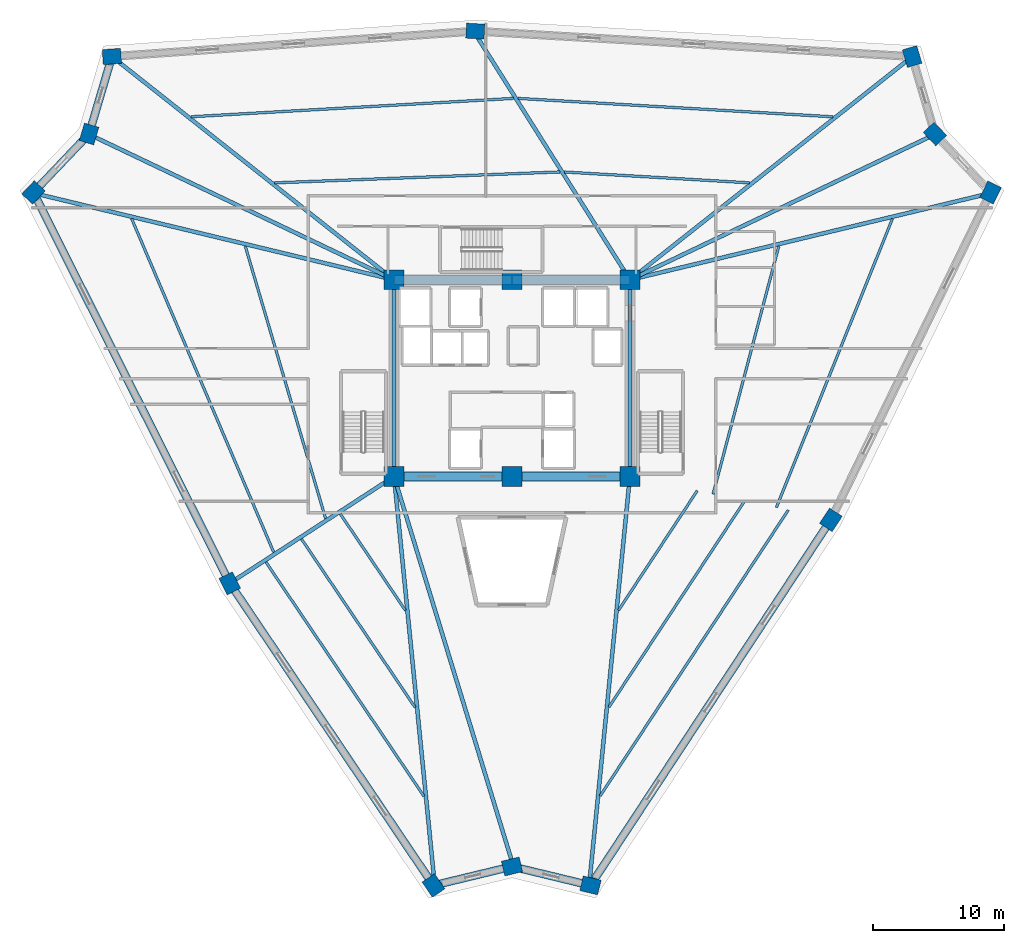
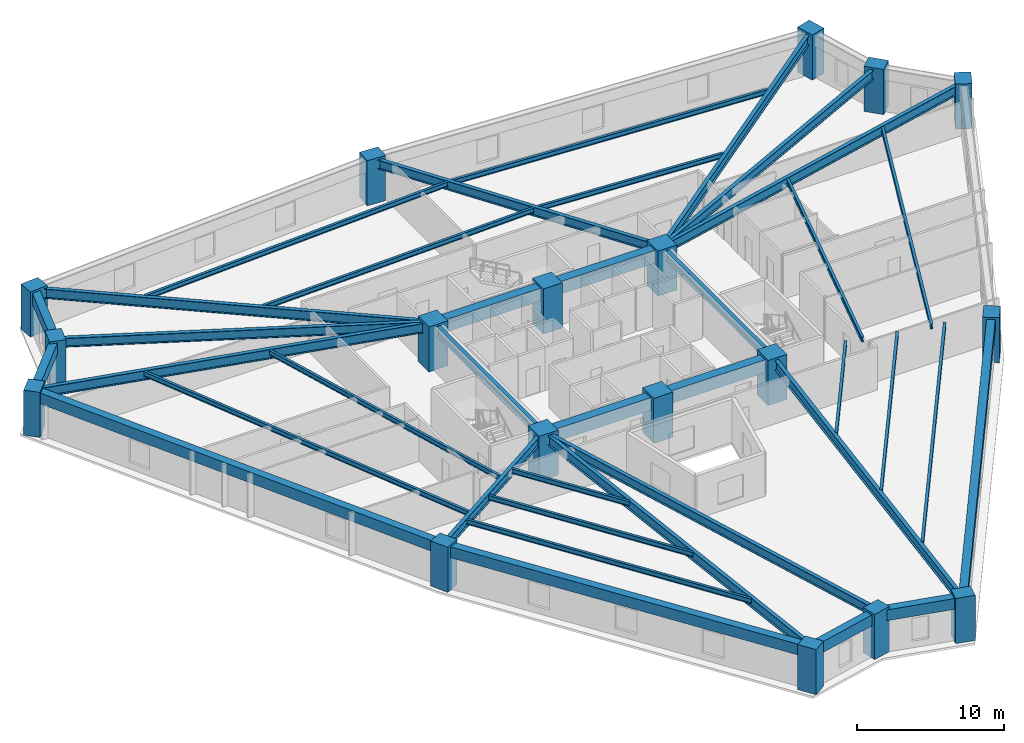
# One storey, part 1 of 7: 38 beams, 18 columns.
"""IFC4 building model written with IfcOpenShell, lengths in metres."""

from ifc_helpers import new_model, si_unit, direction, frame, origin, origin_2d, place, context, subcontext, project, spatial, rectangle, i_section, extrude, source, transform, mapped, material, material_profile, profile_set, type_object, element, save


model = new_model("IFC4")

# Units and contexts
model_context = context("Model", 3, precision=1e-05, world=origin(), true_north=direction((0.0, 1.0)))
body_context = subcontext(model_context, "Body", "Model", "MODEL_VIEW")
ifc_project = project(units=[si_unit("LENGTHUNIT", "METRE"), si_unit("AREAUNIT", "SQUARE_METRE"), si_unit("VOLUMEUNIT", "CUBIC_METRE"), si_unit("PLANEANGLEUNIT", "RADIAN"), si_unit("MASSUNIT", "GRAM", prefix="KILO")], contexts=[model_context])

# Site, building, storey
site_placement = place(None, origin())
site = spatial("IfcSite", under=ifc_project, at=site_placement, CompositionType="ELEMENT")
building_placement = place(site_placement, origin())
building = spatial("IfcBuilding", under=site, at=building_placement, Name="Liaohun Quay Tower", CompositionType="ELEMENT")
storey_placement = place(building_placement, frame((0.0, 0.0, 120.75)))
storey = spatial("IfcBuildingStorey", under=building, at=storey_placement, Name="L31", CompositionType="ELEMENT", Elevation=120.75)

# Columns
ifc_material_1 = material(Name="Concrete C60", Category="concrete")
ifc_material_profile_1 = material_profile(ifc_material_1, rectangle(XDim=1.5, YDim=1.5, at=origin_2d()), Name="RC1500x1500")
ifc_profile_set_1 = profile_set([ifc_material_profile_1], Name="Concrete C60")
column_type_1 = type_object("IfcColumnType", Name="COL-CC-Z2", PredefinedType="COLUMN", material=ifc_profile_set_1)
shared_shape_1 = source(origin(), body_context, "Body", "SweptSolid", [
    extrude(rectangle(XDim=1.5, YDim=1.5, at=origin_2d()), origin(), (0.0, 0.0, 1.0), 3.75),
])
for number, where, z_axis, x_axis, name in (
    (1, (51.0, 46.5, 0.0), (0.0, 0.0, 1.0), (1.0, 0.0, 0.0), "L31 Core Column CC1"),
    (2, (60.0, 46.5, 0.0), (0.0, 0.0, 1.0), (1.0, 0.0, 0.0), "L31 Core Column CC2"),
    (3, (69.0, 46.5, 0.0), (0.0, 0.0, 1.0), (1.0, 0.0, 0.0), "L31 Core Column CC3"),
    (4, (69.0, 61.5, 0.0), (0.0, 0.0, 1.0), (1.0, 0.0, 0.0), "L31 Core Column CC4"),
    (5, (60.0, 61.5, 0.0), (0.0, 0.0, 1.0), (1.0, 0.0, 0.0), "L31 Core Column CC5"),
    (6, (51.0, 61.5, 0.0), (0.0, 0.0, 1.0), (1.0, 0.0, 0.0), "L31 Core Column CC6"),
):
    element("IfcColumn", number, at=place(storey_placement, frame(where, z_axis=z_axis, x_axis=x_axis)), inside=storey, type_object=column_type_1, Name=name, PredefinedType="COLUMN", context=body_context, shape_type="MappedRepresentation", body=[
        mapped(shared_shape_1, transform((0.0, 0.0, 0.0), x_axis=(1.0, 0.0, 0.0), y_axis=(0.0, 1.0, 0.0), z_axis=(0.0, 0.0, 1.0), scale=1.0)),
    ])
ifc_material_profile_2 = material_profile(ifc_material_1, rectangle(XDim=1.39990234375, YDim=1.14990234375, at=origin_2d()), Name="RC1400x1150")
ifc_profile_set_2 = profile_set([ifc_material_profile_2], Name="Concrete C60")
column_type_2 = type_object("IfcColumnType", Name="COL-PIER-Z2", PredefinedType="COLUMN", material=ifc_profile_set_2)
shared_shape_2 = source(origin(), body_context, "Body", "SweptSolid", [
    extrude(rectangle(XDim=1.39990234375, YDim=1.14990234375, at=origin_2d()), origin(), (0.0, 0.0, 1.0), 3.75),
])
for number, where, z_axis, x_axis, name in (
    (7, (54.008056640625, 15.2919921875, 0.0), (0.0, 0.0, 1.0), (-0.559048200602, 0.829135157501, 0.0), "L31 Perimeter Pier PC01"),
    (8, (38.471923828125, 38.3369140625, 0.0), (0.0, 0.0, 1.0), (-0.448851168881, 0.893606528733, 0.0), "L31 Perimeter Pier PC02"),
    (9, (23.487060546875, 68.169921875, 0.0), (0.0, 0.0, 1.0), (0.68936671806, 0.724412539946, 0.0), "L31 Perimeter Pier PC03"),
    (10, (27.73095703125, 72.631103515625, 0.0), (0.0, 0.0, 1.0), (0.282676303383, 0.959215360337, 0.0), "L31 Perimeter Pier PC04"),
    (11, (29.472900390625, 78.54296875, 0.0), (0.0, 0.0, 1.0), (0.997576209867, 0.069582364911, 0.0), "L31 Perimeter Pier PC05"),
    (12, (57.198974609375, 80.47509765625, 0.0), (0.0, 0.0, 1.0), (-0.998311539311, 0.058086749598, 0.0), "L31 Perimeter Pier PC06"),
    (13, (90.529052734375, 78.535888671875, 0.0), (0.0, 0.0, 1.0), (-0.282676303383, 0.959215360337, 0.0), "L31 Perimeter Pier PC07"),
    (14, (92.26904296875, 72.631103515625, 0.0), (0.0, 0.0, 1.0), (-0.68936671806, 0.724412539946, 0.0), "L31 Perimeter Pier PC08"),
    (15, (96.51806640625, 68.1650390625, 0.0), (0.0, 0.0, 1.0), (0.438528009266, 0.898717522412, 0.0), "L31 Perimeter Pier PC09"),
    (16, (84.3291015625, 43.18798828125, 0.0), (0.0, 0.0, 1.0), (0.54946037043, 0.835519779135, 0.0), "L31 Perimeter Pier PC10"),
    (17, (65.985107421875, 15.2939453125, 0.0), (0.0, 0.0, 1.0), (-0.972083987461, 0.234633163303, 0.0), "L31 Perimeter Pier PC11"),
    (18, (60.0, 16.738037109375, 0.0), (0.0, 0.0, 1.0), (0.972083987461, 0.234633163303, 0.0), "L31 Perimeter Pier PC12"),
):
    element("IfcColumn", number, at=place(storey_placement, frame(where, z_axis=z_axis, x_axis=x_axis)), inside=storey, type_object=column_type_2, Name=name, PredefinedType="COLUMN", context=body_context, shape_type="MappedRepresentation", body=[
        mapped(shared_shape_2, transform((0.0, 0.0, 0.0), x_axis=(1.0, 0.0, 0.0), y_axis=(0.0, 1.0, 0.0), z_axis=(0.0, 0.0, 1.0), scale=1.0)),
    ])

# Beams
ifc_material_profile_3 = material_profile(ifc_material_1, rectangle(XDim=0.699951171875, YDim=1.050048828125, at=origin_2d()), Name="RC700x1050")
ifc_profile_set_3 = profile_set([ifc_material_profile_3], Name="Concrete C60")
beam_type_1 = type_object("IfcBeamType", Name="BM-CPL-1", PredefinedType="LINTEL", material=ifc_profile_set_3)
shared_shape_3 = source(origin(), body_context, "Body", "SweptSolid", [
    extrude(rectangle(XDim=0.699951171875, YDim=1.050048828125, at=origin_2d()), origin(), (0.0, 0.0, 1.0), 9.0),
])
for number, where, z_axis, x_axis, name in (
    (19, (51.0, 46.5, 3.044921875), (1.0, 0.0, 0.0), (0.0, 1.0, 0.0), "L31 Core Coupling/Ring Beam CC1-CC2"),
    (20, (60.0, 46.5, 3.044921875), (1.0, 0.0, 0.0), (0.0, 1.0, 0.0), "L31 Core Coupling/Ring Beam CC2-CC3"),
    (21, (69.0, 61.5, 3.044921875), (-1.0, 0.0, 0.0), (0.0, -1.0, 0.0), "L31 Core Coupling/Ring Beam CC4-CC5"),
    (22, (60.0, 61.5, 3.044921875), (-1.0, 0.0, 0.0), (0.0, -1.0, 0.0), "L31 Core Coupling/Ring Beam CC5-CC6"),
):
    element("IfcBeam", number, at=place(storey_placement, frame(where, z_axis=z_axis, x_axis=x_axis)), inside=storey, type_object=beam_type_1, Name=name, PredefinedType="LINTEL", context=body_context, shape_type="MappedRepresentation", body=[
        mapped(shared_shape_3, transform((0.0, 0.0, 0.0), x_axis=(1.0, 0.0, 0.0), y_axis=(0.0, 1.0, 0.0), z_axis=(0.0, 0.0, 1.0), scale=1.0)),
    ])
ifc_material_2 = material(Name="Steel Q355D", Category="steel")
ifc_material_profile_4 = material_profile(ifc_material_2, i_section(OverallWidth=0.300048828125, OverallDepth=0.800048828125, WebThickness=0.013916015625, FlangeThickness=0.02587890625, at=origin_2d()), Name="HN800x300x14x26")
ifc_profile_set_4 = profile_set([ifc_material_profile_4], Name="Steel Q355D")
beam_type_2 = type_object("IfcBeamType", Name="BM-RAD-M1", PredefinedType="BEAM", material=ifc_profile_set_4)
shared_shape_4 = source(origin(), body_context, "Body", "SweptSolid", [
    extrude(i_section(OverallWidth=0.300048828125, OverallDepth=0.800048828125, WebThickness=0.013916015625, FlangeThickness=0.02587890625, at=origin_2d()), origin(), (0.0, 0.0, 1.0), 15.0),
])
for number, where, z_axis, x_axis, name in (
    (23, (69.0, 46.5, 3.169921875), (0.0, 1.0, 0.0), (-1.0, 0.0, 0.0), "L31 Core Coupling/Ring Beam CC3-CC4"),
    (24, (51.0, 61.5, 3.169921875), (0.0, -1.0, 0.0), (1.0, 0.0, 0.0), "L31 Core Coupling/Ring Beam CC6-CC1"),
):
    element("IfcBeam", number, at=place(storey_placement, frame(where, z_axis=z_axis, x_axis=x_axis)), inside=storey, type_object=beam_type_2, Name=name, PredefinedType="BEAM", context=body_context, shape_type="MappedRepresentation", body=[
        mapped(shared_shape_4, transform((0.0, 0.0, 0.0), x_axis=(1.0, 0.0, 0.0), y_axis=(0.0, 1.0, 0.0), z_axis=(0.0, 0.0, 1.0), scale=1.0)),
    ])
ifc_material_3 = material(Name="Precast concrete C55", Category="concrete")
ifc_material_profile_5 = material_profile(ifc_material_3, rectangle(XDim=0.60009765625, YDim=0.89990234375, at=origin_2d()), Name="RC600x900")
ifc_profile_set_5 = profile_set([ifc_material_profile_5], Name="Precast concrete C55")
beam_type_3 = type_object("IfcBeamType", Name="BM-SPD-Z2", PredefinedType="SPANDREL", material=ifc_profile_set_5)
shared_shape_5 = source(origin(), body_context, "Body", "SweptSolid", [
    extrude(rectangle(XDim=0.60009765625, YDim=0.89990234375, at=origin_2d()), origin(), (0.0, 0.0, 1.0), 27.792724609375),
])
beam_1_placement = place(storey_placement, frame((54.008056640625, 15.2919921875, 3.1201171875), z_axis=(-0.558998433208, 0.829168711223, 0.0), x_axis=(-0.829168711223, -0.558998433208, 0.0)))
element("IfcBeam", 25, at=beam_1_placement, inside=storey, type_object=beam_type_3, Name="L31 Precast Spandrel Beam PC01-PC02", PredefinedType="SPANDREL", context=body_context, shape_type="MappedRepresentation", body=[
    mapped(shared_shape_5, transform((0.0, 0.0, 0.0), x_axis=(1.0, 0.0, 0.0), y_axis=(0.0, 1.0, 0.0), z_axis=(0.0, 0.0, 1.0), scale=1.0)),
])
shared_shape_6 = source(origin(), body_context, "Body", "SweptSolid", [
    extrude(rectangle(XDim=0.60009765625, YDim=0.89990234375, at=origin_2d()), origin(), (0.0, 0.0, 1.0), 33.385009765625),
])
beam_2_placement = place(storey_placement, frame((38.471923828125, 38.3369140625, 3.1201171875), z_axis=(-0.448850934201, 0.893606646611, 0.0), x_axis=(-0.893606646611, -0.448850934201, 0.0)))
element("IfcBeam", 26, at=beam_2_placement, inside=storey, type_object=beam_type_3, Name="L31 Precast Spandrel Beam PC02-PC03", PredefinedType="SPANDREL", context=body_context, shape_type="MappedRepresentation", body=[
    mapped(shared_shape_6, transform((0.0, 0.0, 0.0), x_axis=(1.0, 0.0, 0.0), y_axis=(0.0, 1.0, 0.0), z_axis=(0.0, 0.0, 1.0), scale=1.0)),
])
shared_shape_7 = source(origin(), body_context, "Body", "SweptSolid", [
    extrude(rectangle(XDim=0.60009765625, YDim=0.89990234375, at=origin_2d()), origin(), (0.0, 0.0, 1.0), 6.1572265625),
])
beam_3_placement = place(storey_placement, frame((23.487060546875, 68.169921875, 3.1201171875), z_axis=(0.68924219683, 0.724531016664, 0.0), x_axis=(-0.724531016664, 0.68924219683, 0.0)))
element("IfcBeam", 27, at=beam_3_placement, inside=storey, type_object=beam_type_3, Name="L31 Precast Spandrel Beam PC03-PC04", PredefinedType="SPANDREL", context=body_context, shape_type="MappedRepresentation", body=[
    mapped(shared_shape_7, transform((0.0, 0.0, 0.0), x_axis=(1.0, 0.0, 0.0), y_axis=(0.0, 1.0, 0.0), z_axis=(0.0, 0.0, 1.0), scale=1.0)),
])
shared_shape_8 = source(origin(), body_context, "Body", "SweptSolid", [
    extrude(rectangle(XDim=0.60009765625, YDim=0.89990234375, at=origin_2d()), origin(), (0.0, 0.0, 1.0), 6.1630859375),
])
beam_4_placement = place(storey_placement, frame((27.73095703125, 72.631103515625, 3.1201171875), z_axis=(0.282638112425, 0.959226614208, 0.0), x_axis=(-0.959226614208, 0.282638112425, 0.0)))
element("IfcBeam", 28, at=beam_4_placement, inside=storey, type_object=beam_type_3, Name="L31 Precast Spandrel Beam PC04-PC05", PredefinedType="SPANDREL", context=body_context, shape_type="MappedRepresentation", body=[
    mapped(shared_shape_8, transform((0.0, 0.0, 0.0), x_axis=(1.0, 0.0, 0.0), y_axis=(0.0, 1.0, 0.0), z_axis=(0.0, 0.0, 1.0), scale=1.0)),
])
shared_shape_9 = source(origin(), body_context, "Body", "SweptSolid", [
    extrude(rectangle(XDim=0.60009765625, YDim=0.89990234375, at=origin_2d()), origin(), (0.0, 0.0, 1.0), 33.38525390625),
])
beam_5_placement = place(storey_placement, frame((84.3291015625, 43.18798828125, 3.1201171875), z_axis=(-0.549462841811, -0.835518153883, 0.0), x_axis=(0.835518153883, -0.549462841811, 0.0)))
element("IfcBeam", 29, at=beam_5_placement, inside=storey, type_object=beam_type_3, Name="L31 Precast Spandrel Beam PC10-PC11", PredefinedType="SPANDREL", context=body_context, shape_type="MappedRepresentation", body=[
    mapped(shared_shape_9, transform((0.0, 0.0, 0.0), x_axis=(1.0, 0.0, 0.0), y_axis=(0.0, 1.0, 0.0), z_axis=(0.0, 0.0, 1.0), scale=1.0)),
])
shared_shape_10 = source(origin(), body_context, "Body", "SweptSolid", [
    extrude(rectangle(XDim=0.60009765625, YDim=0.89990234375, at=origin_2d()), origin(), (0.0, 0.0, 1.0), 6.15673828125),
])
beam_6_placement = place(storey_placement, frame((65.985107421875, 15.2939453125, 3.1201171875), z_axis=(-0.972104036034, 0.234550086606, 0.0), x_axis=(-0.234550086606, -0.972104036034, 0.0)))
element("IfcBeam", 30, at=beam_6_placement, inside=storey, type_object=beam_type_3, Name="L31 Precast Spandrel Beam PC11-PC12", PredefinedType="SPANDREL", context=body_context, shape_type="MappedRepresentation", body=[
    mapped(shared_shape_10, transform((0.0, 0.0, 0.0), x_axis=(1.0, 0.0, 0.0), y_axis=(0.0, 1.0, 0.0), z_axis=(0.0, 0.0, 1.0), scale=1.0)),
])
shared_shape_11 = source(origin(), body_context, "Body", "SweptSolid", [
    extrude(rectangle(XDim=0.60009765625, YDim=0.89990234375, at=origin_2d()), origin(), (0.0, 0.0, 1.0), 6.1640625),
])
beam_7_placement = place(storey_placement, frame((60.0, 16.738037109375, 3.1201171875), z_axis=(-0.972092799316, -0.234596652828, 0.0), x_axis=(0.234596652828, -0.972092799316, 0.0)))
element("IfcBeam", 31, at=beam_7_placement, inside=storey, type_object=beam_type_3, Name="L31 Precast Spandrel Beam PC12-PC01", PredefinedType="SPANDREL", context=body_context, shape_type="MappedRepresentation", body=[
    mapped(shared_shape_11, transform((0.0, 0.0, 0.0), x_axis=(1.0, 0.0, 0.0), y_axis=(0.0, 1.0, 0.0), z_axis=(0.0, 0.0, 1.0), scale=1.0)),
])
shared_shape_12 = source(origin(), body_context, "Body", "SweptSolid", [
    extrude(i_section(OverallWidth=0.300048828125, OverallDepth=0.800048828125, WebThickness=0.013916015625, FlangeThickness=0.02587890625, at=origin_2d()), origin(), (0.0, 0.0, 1.0), 30.977294921875),
])
beam_8_placement = place(storey_placement, frame((51.0, 46.5, 3.169921875), z_axis=(0.099075312627, -0.995079937707, 0.0), x_axis=(0.995079937707, 0.099075312627, 0.0)))
element("IfcBeam", 32, at=beam_8_placement, inside=storey, type_object=beam_type_2, Name="L31 Radial Primary Girder CC1-PC01", PredefinedType="BEAM", context=body_context, shape_type="MappedRepresentation", body=[
    mapped(shared_shape_12, transform((0.0, 0.0, 0.0), x_axis=(1.0, 0.0, 0.0), y_axis=(0.0, 1.0, 0.0), z_axis=(0.0, 0.0, 1.0), scale=1.0)),
])
ifc_material_profile_6 = material_profile(ifc_material_2, i_section(OverallWidth=0.300048828125, OverallDepth=0.75, WebThickness=0.013916015625, FlangeThickness=0.02587890625, at=origin_2d()), Name="HN750x300x14x26")
ifc_profile_set_6 = profile_set([ifc_material_profile_6], Name="Steel Q355D")
beam_type_4 = type_object("IfcBeamType", Name="BM-RAD-M2", PredefinedType="BEAM", material=ifc_profile_set_6)
shared_shape_13 = source(origin(), body_context, "Body", "SweptSolid", [
    extrude(i_section(OverallWidth=0.300048828125, OverallDepth=0.75, WebThickness=0.013916015625, FlangeThickness=0.02587890625, at=origin_2d()), origin(), (0.0, 0.0, 1.0), 14.70263671875),
])
beam_9_placement = place(storey_placement, frame((51.0, 46.5, 3.195068359375), z_axis=(-0.838349137648, -0.545133674804, 0.0), x_axis=(0.545133674804, -0.838349137648, 0.0)))
element("IfcBeam", 33, at=beam_9_placement, inside=storey, type_object=beam_type_4, Name="L31 Radial Primary Girder CC1-PC02", PredefinedType="BEAM", context=body_context, shape_type="MappedRepresentation", body=[
    mapped(shared_shape_13, transform((0.0, 0.0, 0.0), x_axis=(1.0, 0.0, 0.0), y_axis=(0.0, 1.0, 0.0), z_axis=(0.0, 0.0, 1.0), scale=1.0)),
])
shared_shape_14 = source(origin(), body_context, "Body", "SweptSolid", [
    extrude(i_section(OverallWidth=0.300048828125, OverallDepth=0.800048828125, WebThickness=0.013916015625, FlangeThickness=0.02587890625, at=origin_2d()), origin(), (0.0, 0.0, 1.0), 27.925537109375),
])
beam_10_placement = place(storey_placement, frame((51.0, 61.5, 3.169921875), z_axis=(-0.972258993003, 0.233906927055, 0.0), x_axis=(-0.233906927055, -0.972258993003, 0.0)))
element("IfcBeam", 34, at=beam_10_placement, inside=storey, type_object=beam_type_2, Name="L31 Radial Primary Girder CC6-PC03", PredefinedType="BEAM", context=body_context, shape_type="MappedRepresentation", body=[
    mapped(shared_shape_14, transform((0.0, 0.0, 0.0), x_axis=(1.0, 0.0, 0.0), y_axis=(0.0, 1.0, 0.0), z_axis=(0.0, 0.0, 1.0), scale=1.0)),
])
shared_shape_15 = source(origin(), body_context, "Body", "SweptSolid", [
    extrude(i_section(OverallWidth=0.300048828125, OverallDepth=0.75, WebThickness=0.013916015625, FlangeThickness=0.02587890625, at=origin_2d()), origin(), (0.0, 0.0, 1.0), 25.427001953125),
])
for number, where, z_axis, x_axis, name in (
    (35, (51.0, 61.5, 3.195068359375), (-0.902578311145, 0.430525716131, 0.0), (-0.430525716131, -0.902578311145, 0.0), "L31 Radial Primary Girder CC6-PC04"),
    (36, (69.0, 61.5, 3.195068359375), (0.902578311145, 0.430525716131, 0.0), (-0.430525716131, 0.902578311145, 0.0), "L31 Radial Primary Girder CC4-PC08"),
):
    element("IfcBeam", number, at=place(storey_placement, frame(where, z_axis=z_axis, x_axis=x_axis)), inside=storey, type_object=beam_type_4, Name=name, PredefinedType="BEAM", context=body_context, shape_type="MappedRepresentation", body=[
        mapped(shared_shape_15, transform((0.0, 0.0, 0.0), x_axis=(1.0, 0.0, 0.0), y_axis=(0.0, 1.0, 0.0), z_axis=(0.0, 0.0, 1.0), scale=1.0)),
    ])
shared_shape_16 = source(origin(), body_context, "Body", "SweptSolid", [
    extrude(i_section(OverallWidth=0.300048828125, OverallDepth=0.800048828125, WebThickness=0.013916015625, FlangeThickness=0.02587890625, at=origin_2d()), origin(), (0.0, 0.0, 1.0), 27.068603515625),
])
beam_11_placement = place(storey_placement, frame((51.0, 61.5, 3.169921875), z_axis=(-0.784120071675, 0.620609146885, 0.0), x_axis=(-0.620609146885, -0.784120071675, 0.0)))
element("IfcBeam", 37, at=beam_11_placement, inside=storey, type_object=beam_type_2, Name="L31 Radial Primary Girder CC6-PC05", PredefinedType="BEAM", context=body_context, shape_type="MappedRepresentation", body=[
    mapped(shared_shape_16, transform((0.0, 0.0, 0.0), x_axis=(1.0, 0.0, 0.0), y_axis=(0.0, 1.0, 0.0), z_axis=(0.0, 0.0, 1.0), scale=1.0)),
])
shared_shape_17 = source(origin(), body_context, "Body", "SweptSolid", [
    extrude(i_section(OverallWidth=0.300048828125, OverallDepth=0.75, WebThickness=0.013916015625, FlangeThickness=0.02587890625, at=origin_2d()), origin(), (0.0, 0.0, 1.0), 22.119873046875),
])
beam_12_placement = place(storey_placement, frame((69.0, 61.5, 3.195068359375), z_axis=(-0.532276875022, 0.846570332765, 0.0), x_axis=(-0.846570332765, -0.532276875022, 0.0)))
element("IfcBeam", 38, at=beam_12_placement, inside=storey, type_object=beam_type_4, Name="L31 Radial Primary Girder CC4-PC06", PredefinedType="BEAM", context=body_context, shape_type="MappedRepresentation", body=[
    mapped(shared_shape_17, transform((0.0, 0.0, 0.0), x_axis=(1.0, 0.0, 0.0), y_axis=(0.0, 1.0, 0.0), z_axis=(0.0, 0.0, 1.0), scale=1.0)),
])
shared_shape_18 = source(origin(), body_context, "Body", "SweptSolid", [
    extrude(i_section(OverallWidth=0.300048828125, OverallDepth=0.800048828125, WebThickness=0.013916015625, FlangeThickness=0.02587890625, at=origin_2d()), origin(), (0.0, 0.0, 1.0), 27.066650390625),
])
beam_13_placement = place(storey_placement, frame((69.0, 61.5, 3.169921875), z_axis=(0.784289025089, 0.620395619846, 0.0), x_axis=(-0.620395619846, 0.784289025089, 0.0)))
element("IfcBeam", 39, at=beam_13_placement, inside=storey, type_object=beam_type_2, Name="L31 Radial Primary Girder CC4-PC07", PredefinedType="BEAM", context=body_context, shape_type="MappedRepresentation", body=[
    mapped(shared_shape_18, transform((0.0, 0.0, 0.0), x_axis=(1.0, 0.0, 0.0), y_axis=(0.0, 1.0, 0.0), z_axis=(0.0, 0.0, 1.0), scale=1.0)),
])
shared_shape_19 = source(origin(), body_context, "Body", "SweptSolid", [
    extrude(i_section(OverallWidth=0.300048828125, OverallDepth=0.800048828125, WebThickness=0.013916015625, FlangeThickness=0.02587890625, at=origin_2d()), origin(), (0.0, 0.0, 1.0), 27.929443359375),
])
beam_14_placement = place(storey_placement, frame((69.0, 61.5, 3.169921875), z_axis=(0.97230877325, 0.233699913269, 0.0), x_axis=(-0.233699913269, 0.97230877325, 0.0)))
element("IfcBeam", 40, at=beam_14_placement, inside=storey, type_object=beam_type_2, Name="L31 Radial Primary Girder CC4-PC09", PredefinedType="BEAM", context=body_context, shape_type="MappedRepresentation", body=[
    mapped(shared_shape_19, transform((0.0, 0.0, 0.0), x_axis=(1.0, 0.0, 0.0), y_axis=(0.0, 1.0, 0.0), z_axis=(0.0, 0.0, 1.0), scale=1.0)),
])
shared_shape_20 = source(origin(), body_context, "Body", "SweptSolid", [
    extrude(i_section(OverallWidth=0.300048828125, OverallDepth=0.800048828125, WebThickness=0.013916015625, FlangeThickness=0.02587890625, at=origin_2d()), origin(), (0.0, 0.0, 1.0), 30.97607421875),
])
beam_15_placement = place(storey_placement, frame((69.0, 46.5, 3.169921875), z_axis=(-0.099300044387, -0.99505753662, 0.0), x_axis=(0.99505753662, -0.099300044387, 0.0)))
element("IfcBeam", 41, at=beam_15_placement, inside=storey, type_object=beam_type_2, Name="L31 Radial Primary Girder CC3-PC11", PredefinedType="BEAM", context=body_context, shape_type="MappedRepresentation", body=[
    mapped(shared_shape_20, transform((0.0, 0.0, 0.0), x_axis=(1.0, 0.0, 0.0), y_axis=(0.0, 1.0, 0.0), z_axis=(0.0, 0.0, 1.0), scale=1.0)),
])
shared_shape_21 = source(origin(), body_context, "Body", "SweptSolid", [
    extrude(i_section(OverallWidth=0.300048828125, OverallDepth=0.75, WebThickness=0.013916015625, FlangeThickness=0.02587890625, at=origin_2d()), origin(), (0.0, 0.0, 1.0), 30.739990234375),
])
beam_16_placement = place(storey_placement, frame((51.0, 46.5, 3.195068359375), z_axis=(0.292777402948, -0.956180627456, 0.0), x_axis=(0.956180627456, 0.292777402948, 0.0)))
element("IfcBeam", 42, at=beam_16_placement, inside=storey, type_object=beam_type_4, Name="L31 Radial Primary Girder CC1-PC12", PredefinedType="BEAM", context=body_context, shape_type="MappedRepresentation", body=[
    mapped(shared_shape_21, transform((0.0, 0.0, 0.0), x_axis=(1.0, 0.0, 0.0), y_axis=(0.0, 1.0, 0.0), z_axis=(0.0, 0.0, 1.0), scale=1.0)),
])
ifc_material_profile_7 = material_profile(ifc_material_2, i_section(OverallWidth=0.199951171875, OverallDepth=0.39990234375, WebThickness=0.008056640625, FlangeThickness=0.012939453125, at=origin_2d()), Name="HN400x200x8x13")
ifc_profile_set_7 = profile_set([ifc_material_profile_7], Name="Steel Q355D")
beam_type_5 = type_object("IfcBeamType", Name="BM-SEC-J2", PredefinedType="JOIST", material=ifc_profile_set_7)
shared_shape_22 = source(origin(), body_context, "Body", "SweptSolid", [
    extrude(i_section(OverallWidth=0.199951171875, OverallDepth=0.39990234375, WebThickness=0.008056640625, FlangeThickness=0.012939453125, at=origin_2d()), origin(), (0.0, 0.0, 1.0), 8.891357421875),
])
beam_17_placement = place(storey_placement, frame((51.866943359375, 36.281005859375, 3.3701171875), z_axis=(-0.559412018003, 0.8288897358, 0.0), x_axis=(-0.8288897358, -0.559412018003, 0.0)))
element("IfcBeam", 43, at=beam_17_placement, inside=storey, type_object=beam_type_5, Name="L31 Wing Secondary Floor Joist SJ-01", PredefinedType="JOIST", context=body_context, shape_type="MappedRepresentation", body=[
    mapped(shared_shape_22, transform((0.0, 0.0, 0.0), x_axis=(1.0, 0.0, 0.0), y_axis=(0.0, 1.0, 0.0), z_axis=(0.0, 0.0, 1.0), scale=1.0)),
])
shared_shape_23 = source(origin(), body_context, "Body", "SweptSolid", [
    extrude(i_section(OverallWidth=0.199951171875, OverallDepth=0.39990234375, WebThickness=0.008056640625, FlangeThickness=0.012939453125, at=origin_2d()), origin(), (0.0, 0.0, 1.0), 15.4951171875),
])
beam_18_placement = place(storey_placement, frame((52.60302734375, 28.883056640625, 3.3701171875), z_axis=(-0.559396271933, 0.828900362497, 0.0), x_axis=(-0.828900362497, -0.559396271933, 0.0)))
element("IfcBeam", 44, at=beam_18_placement, inside=storey, type_object=beam_type_5, Name="L31 Wing Secondary Floor Joist SJ-02", PredefinedType="JOIST", context=body_context, shape_type="MappedRepresentation", body=[
    mapped(shared_shape_23, transform((0.0, 0.0, 0.0), x_axis=(1.0, 0.0, 0.0), y_axis=(0.0, 1.0, 0.0), z_axis=(0.0, 0.0, 1.0), scale=1.0)),
])
shared_shape_24 = source(origin(), body_context, "Body", "SweptSolid", [
    extrude(i_section(OverallWidth=0.199951171875, OverallDepth=0.39990234375, WebThickness=0.008056640625, FlangeThickness=0.012939453125, at=origin_2d()), origin(), (0.0, 0.0, 1.0), 21.549560546875),
])
beam_19_placement = place(storey_placement, frame((53.278076171875, 22.10205078125, 3.3701171875), z_axis=(-0.559418177385, 0.828885578841, 0.0), x_axis=(-0.828885578841, -0.559418177385, 0.0)))
element("IfcBeam", 45, at=beam_19_placement, inside=storey, type_object=beam_type_5, Name="L31 Wing Secondary Floor Joist SJ-03", PredefinedType="JOIST", context=body_context, shape_type="MappedRepresentation", body=[
    mapped(shared_shape_24, transform((0.0, 0.0, 0.0), x_axis=(1.0, 0.0, 0.0), y_axis=(0.0, 1.0, 0.0), z_axis=(0.0, 0.0, 1.0), scale=1.0)),
])
shared_shape_25 = source(origin(), body_context, "Body", "SweptSolid", [
    extrude(i_section(OverallWidth=0.199951171875, OverallDepth=0.39990234375, WebThickness=0.008056640625, FlangeThickness=0.012939453125, at=origin_2d()), origin(), (0.0, 0.0, 1.0), 21.6787109375),
])
beam_20_placement = place(storey_placement, frame((45.779052734375, 43.283935546875, 3.3701171875), z_axis=(-0.282908264634, 0.95914697195, 0.0), x_axis=(-0.95914697195, -0.282908264634, 0.0)))
element("IfcBeam", 46, at=beam_20_placement, inside=storey, type_object=beam_type_5, Name="L31 Wing Secondary Floor Joist SJ-04", PredefinedType="JOIST", context=body_context, shape_type="MappedRepresentation", body=[
    mapped(shared_shape_25, transform((0.0, 0.0, 0.0), x_axis=(1.0, 0.0, 0.0), y_axis=(0.0, 1.0, 0.0), z_axis=(0.0, 0.0, 1.0), scale=1.0)),
])
shared_shape_26 = source(origin(), body_context, "Body", "SweptSolid", [
    extrude(i_section(OverallWidth=0.199951171875, OverallDepth=0.39990234375, WebThickness=0.008056640625, FlangeThickness=0.012939453125, at=origin_2d()), origin(), (0.0, 0.0, 1.0), 27.66455078125),
])
beam_21_placement = place(storey_placement, frame((41.819091796875, 40.708984375, 3.3701171875), z_axis=(-0.39176993437, 0.920063214417, 0.0), x_axis=(-0.920063214417, -0.39176993437, 0.0)))
element("IfcBeam", 47, at=beam_21_placement, inside=storey, type_object=beam_type_5, Name="L31 Wing Secondary Floor Joist SJ-05", PredefinedType="JOIST", context=body_context, shape_type="MappedRepresentation", body=[
    mapped(shared_shape_26, transform((0.0, 0.0, 0.0), x_axis=(1.0, 0.0, 0.0), y_axis=(0.0, 1.0, 0.0), z_axis=(0.0, 0.0, 1.0), scale=1.0)),
])
shared_shape_27 = source(origin(), body_context, "Body", "SweptSolid", [
    extrude(i_section(OverallWidth=0.199951171875, OverallDepth=0.39990234375, WebThickness=0.008056640625, FlangeThickness=0.012939453125, at=origin_2d()), origin(), (0.0, 0.0, 1.0), 21.769775390625),
])
beam_22_placement = place(storey_placement, frame((41.89208984375, 68.89990234375, 3.3701171875), z_axis=(0.999267653916, 0.038264289315, 0.0), x_axis=(-0.038264289315, 0.999267653916, 0.0)))
element("IfcBeam", 48, at=beam_22_placement, inside=storey, type_object=beam_type_5, Name="L31 Wing Secondary Floor Joist SJ-06", PredefinedType="JOIST", context=body_context, shape_type="MappedRepresentation", body=[
    mapped(shared_shape_27, transform((0.0, 0.0, 0.0), x_axis=(1.0, 0.0, 0.0), y_axis=(0.0, 1.0, 0.0), z_axis=(0.0, 0.0, 1.0), scale=1.0)),
])
shared_shape_28 = source(origin(), body_context, "Body", "SweptSolid", [
    extrude(i_section(OverallWidth=0.199951171875, OverallDepth=0.39990234375, WebThickness=0.008056640625, FlangeThickness=0.012939453125, at=origin_2d()), origin(), (0.0, 0.0, 1.0), 24.636962890625),
])
beam_23_placement = place(storey_placement, frame((35.51904296875, 73.944091796875, 3.3701171875), z_axis=(0.998377585387, 0.05694029326, 0.0), x_axis=(-0.05694029326, 0.998377585387, 0.0)))
element("IfcBeam", 49, at=beam_23_placement, inside=storey, type_object=beam_type_5, Name="L31 Wing Secondary Floor Joist SJ-07", PredefinedType="JOIST", context=body_context, shape_type="MappedRepresentation", body=[
    mapped(shared_shape_28, transform((0.0, 0.0, 0.0), x_axis=(1.0, 0.0, 0.0), y_axis=(0.0, 1.0, 0.0), z_axis=(0.0, 0.0, 1.0), scale=1.0)),
])
shared_shape_29 = source(origin(), body_context, "Body", "SweptSolid", [
    extrude(i_section(OverallWidth=0.199951171875, OverallDepth=0.39990234375, WebThickness=0.008056640625, FlangeThickness=0.012939453125, at=origin_2d()), origin(), (0.0, 0.0, 1.0), 14.13623046875),
])
beam_24_placement = place(storey_placement, frame((64.0029296875, 69.72900390625, 3.3701171875), z_axis=(0.998287687401, -0.058495240684, 0.0), x_axis=(0.058495240684, 0.998287687401, 0.0)))
element("IfcBeam", 50, at=beam_24_placement, inside=storey, type_object=beam_type_5, Name="L31 Wing Secondary Floor Joist SJ-08", PredefinedType="JOIST", context=body_context, shape_type="MappedRepresentation", body=[
    mapped(shared_shape_29, transform((0.0, 0.0, 0.0), x_axis=(1.0, 0.0, 0.0), y_axis=(0.0, 1.0, 0.0), z_axis=(0.0, 0.0, 1.0), scale=1.0)),
])
shared_shape_30 = source(origin(), body_context, "Body", "SweptSolid", [
    extrude(i_section(OverallWidth=0.199951171875, OverallDepth=0.39990234375, WebThickness=0.008056640625, FlangeThickness=0.012939453125, at=origin_2d()), origin(), (0.0, 0.0, 1.0), 24.05419921875),
])
beam_25_placement = place(storey_placement, frame((60.470947265625, 75.345947265625, 3.3701171875), z_axis=(0.998287856274, -0.058492358609, 0.0), x_axis=(0.058492358609, 0.998287856274, 0.0)))
element("IfcBeam", 51, at=beam_25_placement, inside=storey, type_object=beam_type_5, Name="L31 Wing Secondary Floor Joist SJ-09", PredefinedType="JOIST", context=body_context, shape_type="MappedRepresentation", body=[
    mapped(shared_shape_30, transform((0.0, 0.0, 0.0), x_axis=(1.0, 0.0, 0.0), y_axis=(0.0, 1.0, 0.0), z_axis=(0.0, 0.0, 1.0), scale=1.0)),
])
shared_shape_31 = source(origin(), body_context, "Body", "SweptSolid", [
    extrude(i_section(OverallWidth=0.199951171875, OverallDepth=0.39990234375, WebThickness=0.008056640625, FlangeThickness=0.012939453125, at=origin_2d()), origin(), (0.0, 0.0, 1.0), 19.579345703125),
])
beam_26_placement = place(storey_placement, frame((80.362060546875, 64.076904296875, 3.3701171875), z_axis=(-0.256394282658, -0.966572279667, 0.0), x_axis=(0.966572279667, -0.256394282658, 0.0)))
element("IfcBeam", 52, at=beam_26_placement, inside=storey, type_object=beam_type_5, Name="L31 Wing Secondary Floor Joist SJ-10", PredefinedType="JOIST", context=body_context, shape_type="MappedRepresentation", body=[
    mapped(shared_shape_31, transform((0.0, 0.0, 0.0), x_axis=(1.0, 0.0, 0.0), y_axis=(0.0, 1.0, 0.0), z_axis=(0.0, 0.0, 1.0), scale=1.0)),
])
shared_shape_32 = source(origin(), body_context, "Body", "SweptSolid", [
    extrude(i_section(OverallWidth=0.199951171875, OverallDepth=0.39990234375, WebThickness=0.008056640625, FlangeThickness=0.012939453125, at=origin_2d()), origin(), (0.0, 0.0, 1.0), 23.746337890625),
])
beam_27_placement = place(storey_placement, frame((89.027099609375, 66.158935546875, 3.3701171875), z_axis=(-0.372857942024, -0.927888438914, 0.0), x_axis=(0.927888438914, -0.372857942024, 0.0)))
element("IfcBeam", 53, at=beam_27_placement, inside=storey, type_object=beam_type_5, Name="L31 Wing Secondary Floor Joist SJ-11", PredefinedType="JOIST", context=body_context, shape_type="MappedRepresentation", body=[
    mapped(shared_shape_32, transform((0.0, 0.0, 0.0), x_axis=(1.0, 0.0, 0.0), y_axis=(0.0, 1.0, 0.0), z_axis=(0.0, 0.0, 1.0), scale=1.0)),
])
shared_shape_33 = source(origin(), body_context, "Body", "SweptSolid", [
    extrude(i_section(OverallWidth=0.199951171875, OverallDepth=0.39990234375, WebThickness=0.008056640625, FlangeThickness=0.012939453125, at=origin_2d()), origin(), (0.0, 0.0, 1.0), 10.916748046875),
])
beam_28_placement = place(storey_placement, frame((74.134033203125, 45.408935546875, 3.3701171875), z_axis=(-0.549787767966, -0.835304381764, 0.0), x_axis=(0.835304381764, -0.549787767966, 0.0)))
element("IfcBeam", 54, at=beam_28_placement, inside=storey, type_object=beam_type_5, Name="L31 Wing Secondary Floor Joist SJ-12", PredefinedType="JOIST", context=body_context, shape_type="MappedRepresentation", body=[
    mapped(shared_shape_33, transform((0.0, 0.0, 0.0), x_axis=(1.0, 0.0, 0.0), y_axis=(0.0, 1.0, 0.0), z_axis=(0.0, 0.0, 1.0), scale=1.0)),
])
shared_shape_34 = source(origin(), body_context, "Body", "SweptSolid", [
    extrude(i_section(OverallWidth=0.199951171875, OverallDepth=0.39990234375, WebThickness=0.008056640625, FlangeThickness=0.012939453125, at=origin_2d()), origin(), (0.0, 0.0, 1.0), 18.84912109375),
])
beam_29_placement = place(storey_placement, frame((77.757080078125, 44.637939453125, 3.3701171875), z_axis=(-0.549785627393, -0.835305790661, 0.0), x_axis=(0.835305790661, -0.549785627393, 0.0)))
element("IfcBeam", 55, at=beam_29_placement, inside=storey, type_object=beam_type_5, Name="L31 Wing Secondary Floor Joist SJ-13", PredefinedType="JOIST", context=body_context, shape_type="MappedRepresentation", body=[
    mapped(shared_shape_34, transform((0.0, 0.0, 0.0), x_axis=(1.0, 0.0, 0.0), y_axis=(0.0, 1.0, 0.0), z_axis=(0.0, 0.0, 1.0), scale=1.0)),
])
shared_shape_35 = source(origin(), body_context, "Body", "SweptSolid", [
    extrude(i_section(OverallWidth=0.199951171875, OverallDepth=0.39990234375, WebThickness=0.008056640625, FlangeThickness=0.012939453125, at=origin_2d()), origin(), (0.0, 0.0, 1.0), 26.122314453125),
])
beam_30_placement = place(storey_placement, frame((81.0791015625, 43.931884765625, 3.3701171875), z_axis=(-0.549801186961, -0.835295549381, 0.0), x_axis=(0.835295549381, -0.549801186961, 0.0)))
element("IfcBeam", 56, at=beam_30_placement, inside=storey, type_object=beam_type_5, Name="L31 Wing Secondary Floor Joist SJ-14", PredefinedType="JOIST", context=body_context, shape_type="MappedRepresentation", body=[
    mapped(shared_shape_35, transform((0.0, 0.0, 0.0), x_axis=(1.0, 0.0, 0.0), y_axis=(0.0, 1.0, 0.0), z_axis=(0.0, 0.0, 1.0), scale=1.0)),
])

save(model, "model.ifc")
